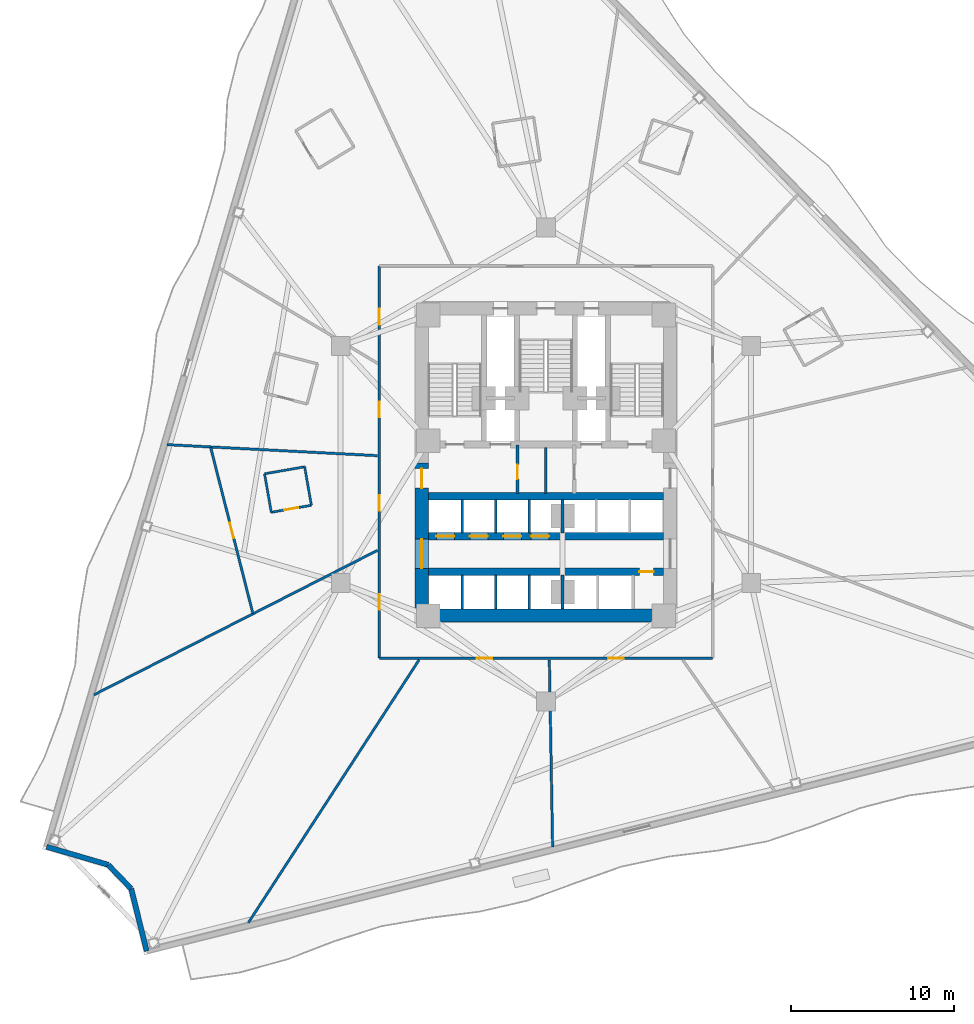
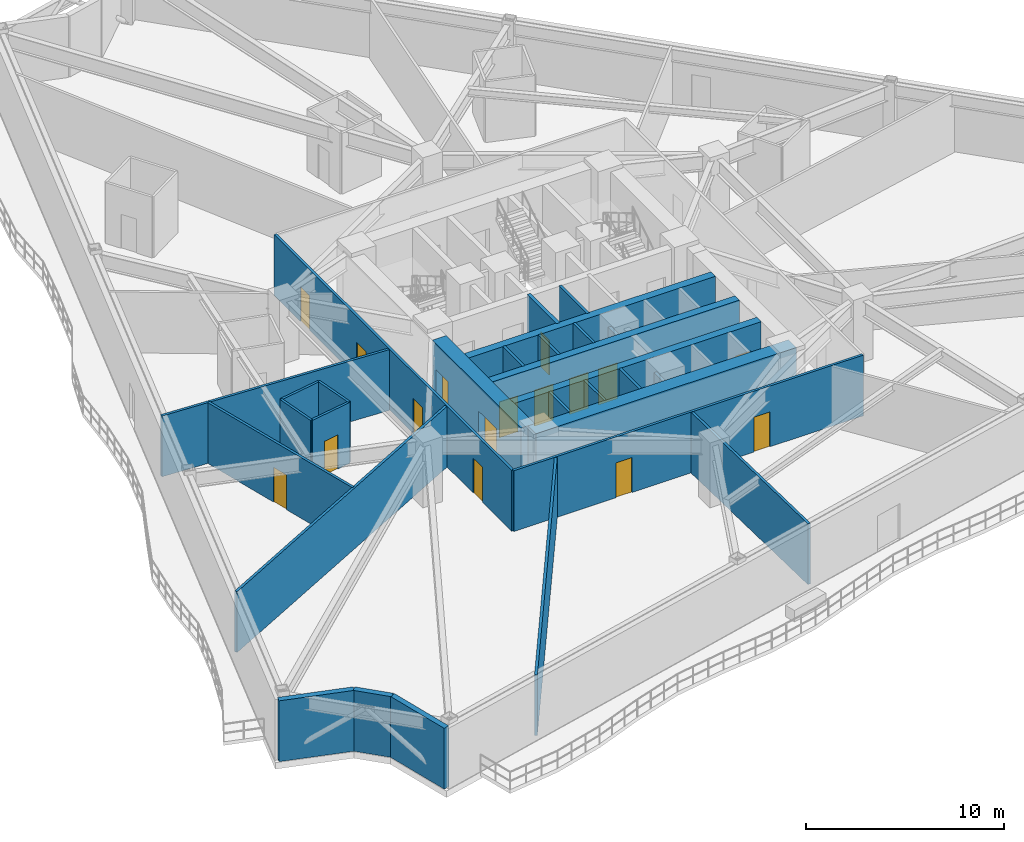
# One storey, part 6 of 13: 29 walls, 16 doors, 16 openings.
"""IFC4 building model written with IfcOpenShell, lengths in metres."""

from ifc_helpers import new_model, si_unit, direction, frame, frame_2d, origin, place, context, subcontext, project, spatial, rectangle, extrude, material, layer, layer_set, type_object, element, fill, save


model = new_model("IFC4")

# Units and contexts
model_context = context("Model", 3, precision=1e-05, world=origin(), true_north=direction((0.0, 1.0)))
body_context = subcontext(model_context, "Body", "Model", "MODEL_VIEW")
ifc_project = project(units=[si_unit("LENGTHUNIT", "METRE"), si_unit("AREAUNIT", "SQUARE_METRE"), si_unit("VOLUMEUNIT", "CUBIC_METRE"), si_unit("PLANEANGLEUNIT", "RADIAN"), si_unit("MASSUNIT", "GRAM", prefix="KILO")], contexts=[model_context])

# Site, building, storey
site_placement = place(None, origin())
site = spatial("IfcSite", under=ifc_project, at=site_placement, CompositionType="ELEMENT")
building_placement = place(site_placement, origin())
building = spatial("IfcBuilding", under=site, at=building_placement, Name="Apsidion Concourse Tower", CompositionType="ELEMENT")
storey_placement = place(building_placement, frame((0.0, 0.0, 95.0)))
storey = spatial("IfcBuildingStorey", under=building, at=storey_placement, Name="L21", CompositionType="ELEMENT", Elevation=95.0)

# Walls
ifc_material_1 = material(Name="Precast concrete C40/50", Category="concrete")
ifc_layer_1 = layer(ifc_material_1, 0.320068359375)
ifc_layer_set_1 = layer_set([ifc_layer_1], Name="Precast concrete C40/50")
wall_type_1 = type_object("IfcWallType", Name="WL-EXT-320", PredefinedType="STANDARD", material=ifc_layer_set_1)
wall_1_placement = place(storey_placement, frame((-24.4287109375, -29.771728515625, 0.0), z_axis=(0.0, 0.0, 1.0), x_axis=(-0.241863642263, 0.970310248607, 0.0)))
element("IfcWall", 1, at=wall_1_placement, inside=storey, type_object=wall_type_1, Name="L21 Precast Stone Facade Wall 06", PredefinedType="STANDARD", context=body_context, shape_type="SweptSolid", body=[
    extrude(rectangle(XDim=3.9326171875, YDim=0.320068359375, at=frame_2d((1.96630859375, 0.0))), origin(), (0.0, 0.0, 1.0), 3.75),
])
wall_2_placement = place(storey_placement, frame((-25.3798828125, -25.955810546875, 0.0), z_axis=(0.0, 0.0, 1.0), x_axis=(-0.69281750058, 0.721112966802, 0.0)))
element("IfcWall", 2, at=wall_2_placement, inside=storey, type_object=wall_type_1, Name="L21 Precast Stone Facade Wall 07", PredefinedType="STANDARD", context=body_context, shape_type="SweptSolid", body=[
    extrude(rectangle(XDim=2.027587890625, YDim=0.320068359375, at=frame_2d((1.013671875, 0.0))), origin(), (0.0, 0.0, 1.0), 3.75),
])
wall_3_placement = place(storey_placement, frame((-26.78466796875, -24.49365234375, 0.0), z_axis=(0.0, 0.0, 1.0), x_axis=(-0.959768832583, 0.28079136027, 0.0)))
element("IfcWall", 3, at=wall_3_placement, inside=storey, type_object=wall_type_1, Name="L21 Precast Stone Facade Wall 08", PredefinedType="STANDARD", context=body_context, shape_type="SweptSolid", body=[
    extrude(rectangle(XDim=3.9326171875, YDim=0.320068359375, at=frame_2d((1.96630859375, 0.0))), origin(), (0.0, 0.0, 1.0), 3.75),
])
ifc_material_2 = material(Name="Gypsum plasterboard partition")
ifc_layer_2 = layer(ifc_material_2, 0.139892578125)
ifc_layer_set_2 = layer_set([ifc_layer_2], Name="Gypsum plasterboard partition")
wall_type_2 = type_object("IfcWallType", Name="WL-INT-PAR-140", PredefinedType="PARTITIONING", material=ifc_layer_set_2)
wall_4_placement = place(storey_placement, frame((-14.76513671875, -0.140380859375, 0.0), z_axis=(0.0, 0.0, 1.0), x_axis=(-0.985100726112, -0.171978369026, 0.0)))
element("IfcWall", 4, at=wall_4_placement, inside=storey, type_object=wall_type_2, Name="L21 Interior Partition WL-L21-POD-HKAWC-S1", PredefinedType="PARTITIONING", context=body_context, shape_type="SweptSolid", body=[
    extrude(rectangle(XDim=2.489990234375, YDim=0.139892578125, at=frame_2d((1.2451171875, 0.0))), origin(), (0.0, 0.0, 1.0), 3.75),
])
wall_5_placement = place(storey_placement, frame((-17.218017578125, -0.568603515625, 0.0), z_axis=(0.0, 0.0, 1.0), x_axis=(0.17193178546, -0.985108857512, 0.0)))
element("IfcWall", 5, at=wall_5_placement, inside=storey, type_object=wall_type_2, Name="L21 Interior Partition WL-L21-POD-HKAWC-S2", PredefinedType="PARTITIONING", context=body_context, shape_type="SweptSolid", body=[
    extrude(rectangle(XDim=2.389892578125, YDim=0.139892578125, at=frame_2d((1.19482421875, 0.0))), origin(), (0.0, 0.0, 1.0), 3.75),
])

# Wall, opening, door
wall_6_placement = place(storey_placement, frame((-16.80712890625, -2.9228515625, 0.0), z_axis=(0.0, 0.0, 1.0), x_axis=(0.985117332909, 0.171883217337, 0.0)))
wall_6 = element("IfcWall", 6, at=wall_6_placement, inside=storey, type_object=wall_type_2, Name="L21 Interior Partition WL-L21-POD-HKAWC-S3", PredefinedType="PARTITIONING", context=body_context, shape_type="SweptSolid", body=[
    extrude(rectangle(XDim=2.489990234375, YDim=0.139892578125, at=frame_2d((1.2451171875, 0.0))), origin(), (0.0, 0.0, 1.0), 3.75),
])
opening_1_placement = place(wall_6_placement, frame((0.804931640625, 0.0, 0.0)))
opening_1 = element("IfcOpeningElement", 7, at=opening_1_placement, cuts=wall_6, Name="Opening D-03L", PredefinedType="OPENING", context=body_context, shape_type="SweptSolid", body=[
    extrude(rectangle(XDim=0.8798828125, YDim=2.10009765625, at=frame_2d((0.43994140625, 1.050048828125))), frame((0.0, 0.080078125, 0.0), z_axis=(0.0, -1.0, 0.0), x_axis=(1.0, 0.0, 0.0)), (0.0, 0.0, 1.0), 0.159912109375),
])
ifc_material_3 = material(Name="Anodised aluminium EN AW-6063 T6", Category="aluminium")
door_type_1 = type_object("IfcDoorType", Name="DR-INT-D03L", OperationType="SINGLE_SWING_LEFT", PredefinedType="DOOR", material=ifc_material_3)
door_1_placement = place(opening_1_placement, origin())
door_1 = element("IfcDoor", 8, at=door_1_placement, inside=storey, type_object=door_type_1, Name="L21 Hotel Accessible WC Door HKAWC", OperationType="SINGLE_SWING_LEFT", OverallHeight=2.10009765625, OverallWidth=0.8798828125, PredefinedType="DOOR", context=body_context, shape_type="SweptSolid", body=[
    extrude(rectangle(XDim=0.8798828125, YDim=2.10009765625, at=frame_2d((0.43994140625, 1.050048828125))), frame((0.0, 0.02490234375, 0.0), z_axis=(0.0, -1.0, 0.0), x_axis=(1.0, 0.0, 0.0)), (0.0, 0.0, 1.0), 0.050048828125),
])
fill(opening_1, door_1)

# Walls
wall_7_placement = place(storey_placement, frame((-14.354248046875, -2.494873046875, 0.0), z_axis=(0.0, 0.0, 1.0), x_axis=(-0.171914484531, 0.985111876899, 0.0)))
element("IfcWall", 9, at=wall_7_placement, inside=storey, type_object=wall_type_2, Name="L21 Interior Partition WL-L21-POD-HKAWC-S4", PredefinedType="PARTITIONING", context=body_context, shape_type="SweptSolid", body=[
    extrude(rectangle(XDim=2.39013671875, YDim=0.139892578125, at=frame_2d((1.195068359375, 0.0))), origin(), (0.0, 0.0, 1.0), 3.75),
])
ifc_layer_3 = layer(ifc_material_2, 0.14990234375)
ifc_layer_set_3 = layer_set([ifc_layer_3], Name="Gypsum plasterboard partition")
wall_type_3 = type_object("IfcWallType", Name="WL-INT-PAR-150", PredefinedType="PARTITIONING", material=ifc_layer_set_3)
for number, where, z_axis, x_axis, name in (
    (10, (-5.125, -4.179931640625, 0.0), (0.0, 0.0, 1.0), (0.0, 1.0, 0.0), "L21 Interior Partition WL-L21-B1DIV-1"),
    (11, (-3.074951171875, -4.179931640625, 0.0), (0.0, 0.0, 1.0), (0.0, 1.0, 0.0), "L21 Interior Partition WL-L21-B1DIV-2"),
    (12, (-1.02490234375, -4.179931640625, 0.0), (0.0, 0.0, 1.0), (0.0, 1.0, 0.0), "L21 Interior Partition WL-L21-B1DIV-3"),
):
    element("IfcWall", number, at=place(storey_placement, frame(where, z_axis=z_axis, x_axis=x_axis)), inside=storey, type_object=wall_type_3, Name=name, PredefinedType="PARTITIONING", context=body_context, shape_type="SweptSolid", body=[
        extrude(rectangle(XDim=2.030029296875, YDim=0.14990234375, at=frame_2d((1.01513671875, 0.0))), origin(), (0.0, 0.0, 1.0), 3.75),
    ])
for number, where, z_axis, x_axis, name in (
    (13, (-5.125, -8.85009765625, 0.0), (0.0, 0.0, 1.0), (0.0, 1.0, 0.0), "L21 Interior Partition WL-L21-B2DIV-1"),
    (14, (-3.074951171875, -8.85009765625, 0.0), (0.0, 0.0, 1.0), (0.0, 1.0, 0.0), "L21 Interior Partition WL-L21-B2DIV-2"),
    (15, (-1.02490234375, -8.85009765625, 0.0), (0.0, 0.0, 1.0), (0.0, 1.0, 0.0), "L21 Interior Partition WL-L21-B2DIV-3"),
):
    element("IfcWall", number, at=place(storey_placement, frame(where, z_axis=z_axis, x_axis=x_axis)), inside=storey, type_object=wall_type_3, Name=name, PredefinedType="PARTITIONING", context=body_context, shape_type="SweptSolid", body=[
        extrude(rectangle(XDim=2.080078125, YDim=0.14990234375, at=frame_2d((1.0400390625, 0.0))), origin(), (0.0, 0.0, 1.0), 3.75),
    ])
wall_8_placement = place(storey_placement, frame((0.0, -1.780029296875, 0.0), z_axis=(0.0, 0.0, 1.0), x_axis=(0.0, 1.0, 0.0)))
element("IfcWall", 16, at=wall_8_placement, inside=storey, type_object=wall_type_3, Name="L21 Interior Partition WL-L21-K3V", PredefinedType="PARTITIONING", context=body_context, shape_type="SweptSolid", body=[
    extrude(rectangle(XDim=2.830078125, YDim=0.14990234375, at=frame_2d((1.4150390625, 0.0))), origin(), (0.0, 0.0, 1.0), 3.75),
])

# Wall, openings, doors
wall_9_placement = place(storey_placement, frame((10.199951171875, -11.85009765625, 0.0), z_axis=(0.0, 0.0, 1.0), x_axis=(-1.0, 0.0, 0.0)))
wall_9 = element("IfcWall", 17, at=wall_9_placement, inside=storey, type_object=wall_type_3, Name="L21 Interior Partition WL-L21-CORR-03", PredefinedType="PARTITIONING", context=body_context, shape_type="SweptSolid", body=[
    extrude(rectangle(XDim=20.39990234375, YDim=0.14990234375, at=frame_2d((10.199951171875, 0.0))), origin(), (0.0, 0.0, 1.0), 3.75),
])
opening_2_placement = place(wall_9_placement, frame((13.4990234375, 0.0, 0.0)))
opening_2 = element("IfcOpeningElement", 18, at=opening_2_placement, cuts=wall_9, Name="Opening D-01L", PredefinedType="OPENING", context=body_context, shape_type="SweptSolid", body=[
    extrude(rectangle(XDim=0.949951171875, YDim=2.14990234375, at=frame_2d((0.47509765625, 1.074951171875))), frame((0.0, 0.0849609375, 0.0), z_axis=(0.0, -1.0, 0.0), x_axis=(1.0, 0.0, 0.0)), (0.0, 0.0, 1.0), 0.169921875),
])
opening_3_placement = place(wall_9_placement, frame((5.43896484375, 0.0, 0.0)))
opening_3 = element("IfcOpeningElement", 19, at=opening_3_placement, cuts=wall_9, Name="Opening D-01R", PredefinedType="OPENING", context=body_context, shape_type="SweptSolid", body=[
    extrude(rectangle(XDim=0.949951171875, YDim=2.14990234375, at=frame_2d((0.47509765625, 1.074951171875))), frame((0.0, 0.0849609375, 0.0), z_axis=(0.0, -1.0, 0.0), x_axis=(1.0, 0.0, 0.0)), (0.0, 0.0, 1.0), 0.169921875),
])
ifc_material_4 = material(Name="Brushed stainless steel 316", Category="steel")
door_type_2 = type_object("IfcDoorType", Name="DR-INT-D01L", OperationType="SINGLE_SWING_LEFT", PredefinedType="DOOR", material=ifc_material_4)
door_2_placement = place(opening_2_placement, origin())
door_2 = element("IfcDoor", 20, at=door_2_placement, inside=storey, type_object=door_type_2, Name="L21 Corridor Entry Door 03", OperationType="SINGLE_SWING_LEFT", OverallHeight=2.14990234375, OverallWidth=0.949951171875, PredefinedType="DOOR", context=body_context, shape_type="SweptSolid", body=[
    extrude(rectangle(XDim=0.949951171875, YDim=2.14990234375, at=frame_2d((0.47509765625, 1.074951171875))), frame((0.0, 0.02490234375, 0.0), z_axis=(0.0, -1.0, 0.0), x_axis=(1.0, 0.0, 0.0)), (0.0, 0.0, 1.0), 0.050048828125),
])
fill(opening_2, door_2)
door_type_3 = type_object("IfcDoorType", Name="DR-INT-D01R", OperationType="SINGLE_SWING_RIGHT", PredefinedType="DOOR", material=ifc_material_4)
door_3_placement = place(opening_3_placement, origin())
door_3 = element("IfcDoor", 21, at=door_3_placement, inside=storey, type_object=door_type_3, Name="L21 Corridor Entry Door 04", OperationType="SINGLE_SWING_RIGHT", OverallHeight=2.14990234375, OverallWidth=0.949951171875, PredefinedType="DOOR", context=body_context, shape_type="SweptSolid", body=[
    extrude(rectangle(XDim=0.949951171875, YDim=2.14990234375, at=frame_2d((0.47509765625, 1.074951171875))), frame((0.0, 0.02490234375, 0.0), z_axis=(0.0, -1.0, 0.0), x_axis=(1.0, 0.0, 0.0)), (0.0, 0.0, 1.0), 0.050048828125),
])
fill(opening_3, door_3)

wall_10_placement = place(storey_placement, frame((-10.199951171875, -11.85009765625, 0.0), z_axis=(0.0, 0.0, 1.0), x_axis=(0.0, 1.0, 0.0)))
wall_10 = element("IfcWall", 22, at=wall_10_placement, inside=storey, type_object=wall_type_3, Name="L21 Interior Partition WL-L21-CORR-04", PredefinedType="PARTITIONING", context=body_context, shape_type="SweptSolid", body=[
    extrude(rectangle(XDim=24.0, YDim=0.14990234375, at=frame_2d((12.0, 0.0))), origin(), (0.0, 0.0, 1.0), 3.75),
])
opening_4_placement = place(wall_10_placement, frame((9.024169921875, 0.0, 0.0)))
opening_4 = element("IfcOpeningElement", 23, at=opening_4_placement, cuts=wall_10, Name="Opening D-01L", PredefinedType="OPENING", context=body_context, shape_type="SweptSolid", body=[
    extrude(rectangle(XDim=0.949951171875, YDim=2.14990234375, at=frame_2d((0.47509765625, 1.074951171875))), frame((0.0, 0.0849609375, 0.0), z_axis=(0.0, -1.0, 0.0), x_axis=(1.0, 0.0, 0.0)), (0.0, 0.0, 1.0), 0.169921875),
])
opening_5_placement = place(wall_10_placement, frame((2.95458984375, 0.0, 0.0)))
opening_5 = element("IfcOpeningElement", 24, at=opening_5_placement, cuts=wall_10, Name="Opening D-01R", PredefinedType="OPENING", context=body_context, shape_type="SweptSolid", body=[
    extrude(rectangle(XDim=0.949951171875, YDim=2.14990234375, at=frame_2d((0.47509765625, 1.074951171875))), frame((0.0, 0.0849609375, 0.0), z_axis=(0.0, -1.0, 0.0), x_axis=(1.0, 0.0, 0.0)), (0.0, 0.0, 1.0), 0.169921875),
])
opening_6_placement = place(wall_10_placement, frame((20.4169921875, 0.0, 0.0)))
opening_6 = element("IfcOpeningElement", 25, at=opening_6_placement, cuts=wall_10, Name="Opening D-01R", PredefinedType="OPENING", context=body_context, shape_type="SweptSolid", body=[
    extrude(rectangle(XDim=0.949951171875, YDim=2.14990234375, at=frame_2d((0.47509765625, 1.074951171875))), frame((0.0, 0.0849609375, 0.0), z_axis=(0.0, -1.0, 0.0), x_axis=(1.0, 0.0, 0.0)), (0.0, 0.0, 1.0), 0.169921875),
])
opening_7_placement = place(wall_10_placement, frame((14.736083984375, 0.0, 0.0)))
opening_7 = element("IfcOpeningElement", 26, at=opening_7_placement, cuts=wall_10, Name="Opening D-01L", PredefinedType="OPENING", context=body_context, shape_type="SweptSolid", body=[
    extrude(rectangle(XDim=0.949951171875, YDim=2.14990234375, at=frame_2d((0.47509765625, 1.074951171875))), frame((0.0, 0.0849609375, 0.0), z_axis=(0.0, -1.0, 0.0), x_axis=(1.0, 0.0, 0.0)), (0.0, 0.0, 1.0), 0.169921875),
])
door_4_placement = place(opening_4_placement, origin())
door_4 = element("IfcDoor", 27, at=door_4_placement, inside=storey, type_object=door_type_2, Name="L21 Corridor Entry Door 01", OperationType="SINGLE_SWING_LEFT", OverallHeight=2.14990234375, OverallWidth=0.949951171875, PredefinedType="DOOR", context=body_context, shape_type="SweptSolid", body=[
    extrude(rectangle(XDim=0.949951171875, YDim=2.14990234375, at=frame_2d((0.47509765625, 1.074951171875))), frame((0.0, 0.02490234375, 0.0), z_axis=(0.0, -1.0, 0.0), x_axis=(1.0, 0.0, 0.0)), (0.0, 0.0, 1.0), 0.050048828125),
])
fill(opening_4, door_4)
door_5_placement = place(opening_7_placement, origin())
door_5 = element("IfcDoor", 28, at=door_5_placement, inside=storey, type_object=door_type_2, Name="L21 Corridor Entry Door 11", OperationType="SINGLE_SWING_LEFT", OverallHeight=2.14990234375, OverallWidth=0.949951171875, PredefinedType="DOOR", context=body_context, shape_type="SweptSolid", body=[
    extrude(rectangle(XDim=0.949951171875, YDim=2.14990234375, at=frame_2d((0.47509765625, 1.074951171875))), frame((0.0, 0.02490234375, 0.0), z_axis=(0.0, -1.0, 0.0), x_axis=(1.0, 0.0, 0.0)), (0.0, 0.0, 1.0), 0.050048828125),
])
fill(opening_7, door_5)
door_6_placement = place(opening_5_placement, origin())
door_6 = element("IfcDoor", 29, at=door_6_placement, inside=storey, type_object=door_type_3, Name="L21 Corridor Entry Door 02", OperationType="SINGLE_SWING_RIGHT", OverallHeight=2.14990234375, OverallWidth=0.949951171875, PredefinedType="DOOR", context=body_context, shape_type="SweptSolid", body=[
    extrude(rectangle(XDim=0.949951171875, YDim=2.14990234375, at=frame_2d((0.47509765625, 1.074951171875))), frame((0.0, 0.02490234375, 0.0), z_axis=(0.0, -1.0, 0.0), x_axis=(1.0, 0.0, 0.0)), (0.0, 0.0, 1.0), 0.050048828125),
])
fill(opening_5, door_6)
door_7_placement = place(opening_6_placement, origin())
door_7 = element("IfcDoor", 30, at=door_7_placement, inside=storey, type_object=door_type_3, Name="L21 Corridor Entry Door 10", OperationType="SINGLE_SWING_RIGHT", OverallHeight=2.14990234375, OverallWidth=0.949951171875, PredefinedType="DOOR", context=body_context, shape_type="SweptSolid", body=[
    extrude(rectangle(XDim=0.949951171875, YDim=2.14990234375, at=frame_2d((0.47509765625, 1.074951171875))), frame((0.0, 0.02490234375, 0.0), z_axis=(0.0, -1.0, 0.0), x_axis=(1.0, 0.0, 0.0)), (0.0, 0.0, 1.0), 0.050048828125),
])
fill(opening_6, door_7)

# Walls
wall_11_placement = place(storey_placement, frame((-10.304931640625, 0.5400390625, 0.0), z_axis=(0.0, 0.0, 1.0), x_axis=(-0.998629106167, 0.052344133533, 0.0)))
element("IfcWall", 31, at=wall_11_placement, inside=storey, type_object=wall_type_3, Name="L21 Interior Partition WL-L21-RAD-06-1", PredefinedType="PARTITIONING", context=body_context, shape_type="SweptSolid", body=[
    extrude(rectangle(XDim=12.8916015625, YDim=0.14990234375, at=frame_2d((6.44580078125, 0.0))), origin(), (0.0, 0.0, 1.0), 3.75),
])
wall_12_placement = place(storey_placement, frame((-10.304931640625, -5.250732421875, 0.0), z_axis=(0.0, 0.0, 1.0), x_axis=(-0.891009071263, -0.45398550079, 0.0)))
element("IfcWall", 32, at=wall_12_placement, inside=storey, type_object=wall_type_3, Name="L21 Interior Partition WL-L21-RAD-07-1", PredefinedType="PARTITIONING", context=body_context, shape_type="SweptSolid", body=[
    extrude(rectangle(XDim=19.474365234375, YDim=0.14990234375, at=frame_2d((9.7373046875, 0.0))), origin(), (0.0, 0.0, 1.0), 3.75),
])
wall_13_placement = place(storey_placement, frame((-7.763671875, -11.955078125, 0.0), z_axis=(0.0, 0.0, 1.0), x_axis=(-0.544643349565, -0.838667766028, 0.0)))
element("IfcWall", 33, at=wall_13_placement, inside=storey, type_object=wall_type_3, Name="L21 Interior Partition WL-L21-RAD-08-1", PredefinedType="PARTITIONING", context=body_context, shape_type="SweptSolid", body=[
    extrude(rectangle(XDim=19.18017578125, YDim=0.14990234375, at=frame_2d((9.590087890625, 0.0))), origin(), (0.0, 0.0, 1.0), 3.75),
])
wall_14_placement = place(storey_placement, frame((0.208740234375, -11.955078125, 0.0), z_axis=(0.0, 0.0, 1.0), x_axis=(0.017448754438, -0.999847758896, 0.0)))
element("IfcWall", 34, at=wall_14_placement, inside=storey, type_object=wall_type_3, Name="L21 Interior Partition WL-L21-RAD-09-1", PredefinedType="PARTITIONING", context=body_context, shape_type="SweptSolid", body=[
    extrude(rectangle(XDim=11.4453125, YDim=0.14990234375, at=frame_2d((5.72265625, 0.0))), origin(), (0.0, 0.0, 1.0), 3.75),
])

# Wall, opening, door
wall_15_placement = place(storey_placement, frame((-20.518310546875, 1.05029296875, 0.0), z_axis=(0.0, 0.0, 1.0), x_axis=(0.246429550542, -0.969160707323, 0.0)))
wall_15 = element("IfcWall", 35, at=wall_15_placement, inside=storey, type_object=wall_type_3, Name="L21 Interior Partition WL-L21-CHD-HKWC", PredefinedType="PARTITIONING", context=body_context, shape_type="SweptSolid", body=[
    extrude(rectangle(XDim=10.483642578125, YDim=0.14990234375, at=frame_2d((5.24169921875, 0.0))), origin(), (0.0, 0.0, 1.0), 3.75),
])
opening_8_placement = place(wall_15_placement, frame((4.766845703125, 0.0, 0.0)))
opening_8 = element("IfcOpeningElement", 36, at=opening_8_placement, cuts=wall_15, Name="Opening D-04R", PredefinedType="OPENING", context=body_context, shape_type="SweptSolid", body=[
    extrude(rectangle(XDim=0.949951171875, YDim=2.14990234375, at=frame_2d((0.47509765625, 1.074951171875))), frame((0.0, 0.0849609375, 0.0), z_axis=(0.0, -1.0, 0.0), x_axis=(1.0, 0.0, 0.0)), (0.0, 0.0, 1.0), 0.169921875),
])
door_type_4 = type_object("IfcDoorType", Name="DR-INT-D04R", OperationType="SINGLE_SWING_RIGHT", PredefinedType="DOOR", material=ifc_material_4)
door_8_placement = place(opening_8_placement, origin())
door_8 = element("IfcDoor", 37, at=door_8_placement, inside=storey, type_object=door_type_4, Name="L21 Suite Connecting Door HKWC", OperationType="SINGLE_SWING_RIGHT", OverallHeight=2.14990234375, OverallWidth=0.949951171875, PredefinedType="DOOR", context=body_context, shape_type="SweptSolid", body=[
    extrude(rectangle(XDim=0.949951171875, YDim=2.14990234375, at=frame_2d((0.47509765625, 1.074951171875))), frame((0.0, 0.02490234375, 0.0), z_axis=(0.0, -1.0, 0.0), x_axis=(1.0, 0.0, 0.0)), (0.0, 0.0, 1.0), 0.050048828125),
])
fill(opening_8, door_8)

# Walls
ifc_layer_4 = layer(ifc_material_2, 0.179931640625)
ifc_layer_set_4 = layer_set([ifc_layer_4], Name="Gypsum plasterboard partition")
wall_type_4 = type_object("IfcWallType", Name="WL-INT-PAR-180", PredefinedType="PARTITIONING", material=ifc_layer_set_4)
wall_16_placement = place(storey_placement, frame((1.02490234375, -4.179931640625, 0.0), z_axis=(0.0, 0.0, 1.0), x_axis=(0.0, 1.0, 0.0)))
element("IfcWall", 38, at=wall_16_placement, inside=storey, type_object=wall_type_4, Name="L21 Interior Partition WL-L21-B1END", PredefinedType="PARTITIONING", context=body_context, shape_type="SweptSolid", body=[
    extrude(rectangle(XDim=2.030029296875, YDim=0.179931640625, at=frame_2d((1.01513671875, 0.0))), origin(), (0.0, 0.0, 1.0), 2.798095703125),
])
wall_17_placement = place(storey_placement, frame((1.02490234375, -8.85009765625, 0.0), z_axis=(0.0, 0.0, 1.0), x_axis=(0.0, 1.0, 0.0)))
element("IfcWall", 39, at=wall_17_placement, inside=storey, type_object=wall_type_4, Name="L21 Interior Partition WL-L21-B2END", PredefinedType="PARTITIONING", context=body_context, shape_type="SweptSolid", body=[
    extrude(rectangle(XDim=2.080078125, YDim=0.179931640625, at=frame_2d((1.0400390625, 0.0))), origin(), (0.0, 0.0, 1.0), 2.798095703125),
])

# Wall, opening, door
ifc_layer_5 = layer(ifc_material_2, 0.199951171875)
ifc_layer_set_5 = layer_set([ifc_layer_5], Name="Gypsum plasterboard partition")
wall_type_5 = type_object("IfcWallType", Name="WL-INT-PAR-200", PredefinedType="PARTITIONING", material=ifc_layer_set_5)
wall_18_placement = place(storey_placement, frame((-1.739990234375, -1.780029296875, 0.0), z_axis=(0.0, 0.0, 1.0), x_axis=(0.0, 1.0, 0.0)))
wall_18 = element("IfcWall", 40, at=wall_18_placement, inside=storey, type_object=wall_type_5, Name="L21 Interior Partition WL-L21-FF1-E", PredefinedType="PARTITIONING", context=body_context, shape_type="SweptSolid", body=[
    extrude(rectangle(XDim=2.97998046875, YDim=0.199951171875, at=frame_2d((1.489990234375, 0.0))), origin(), (0.0, 0.0, 1.0), 3.75),
])
opening_9_placement = place(wall_18_placement, frame((0.889892578125, 0.0, 0.0)))
opening_9 = element("IfcOpeningElement", 41, at=opening_9_placement, cuts=wall_18, Name="Opening D-05R", PredefinedType="OPENING", context=body_context, shape_type="SweptSolid", body=[
    extrude(rectangle(XDim=0.8798828125, YDim=2.14990234375, at=frame_2d((0.43994140625, 1.074951171875))), frame((0.0, 0.10986328125, 0.0), z_axis=(0.0, -1.0, 0.0), x_axis=(1.0, 0.0, 0.0)), (0.0, 0.0, 1.0), 0.219970703125),
])
door_type_5 = type_object("IfcDoorType", Name="DR-INT-D05R", OperationType="SINGLE_SWING_RIGHT", PredefinedType="DOOR", material=ifc_material_4)
door_9_placement = place(opening_9_placement, origin())
door_9 = element("IfcDoor", 42, at=door_9_placement, inside=storey, type_object=door_type_5, Name="L21 Core Pantry Door", OperationType="SINGLE_SWING_RIGHT", OverallHeight=2.14990234375, OverallWidth=0.8798828125, PredefinedType="DOOR", context=body_context, shape_type="SweptSolid", body=[
    extrude(rectangle(XDim=0.8798828125, YDim=2.14990234375, at=frame_2d((0.43994140625, 1.074951171875))), frame((0.0, 0.02490234375, 0.0), z_axis=(0.0, -1.0, 0.0), x_axis=(1.0, 0.0, 0.0)), (0.0, 0.0, 1.0), 0.050048828125),
])
fill(opening_9, door_9)

# Wall
ifc_material_5 = material(Name="Concrete C60/75", Category="concrete")
ifc_layer_6 = layer(ifc_material_5, 0.449951171875)
ifc_layer_set_6 = layer_set([ifc_layer_6], Name="Concrete C60/75")
wall_type_6 = type_object("IfcWallType", Name="WL-SH-450", PredefinedType="SHEAR", material=ifc_layer_set_6)
wall_19_placement = place(storey_placement, frame((-7.199951171875, -1.949951171875, 0.0), z_axis=(0.0, 0.0, 1.0), x_axis=(1.0, 0.0, 0.0)))
element("IfcWall", 43, at=wall_19_placement, inside=storey, type_object=wall_type_6, Name="L21 Central Core Shear Wall M2", PredefinedType="SHEAR", context=body_context, shape_type="SweptSolid", body=[
    extrude(rectangle(XDim=14.39990234375, YDim=0.449951171875, at=frame_2d((7.199951171875, 0.0))), origin(), (0.0, 0.0, 1.0), 3.75),
])

# Wall, openings, doors
wall_20_placement = place(storey_placement, frame((-7.199951171875, -4.3798828125, 0.0), z_axis=(0.0, 0.0, 1.0), x_axis=(1.0, 0.0, 0.0)))
wall_20 = element("IfcWall", 44, at=wall_20_placement, inside=storey, type_object=wall_type_6, Name="L21 Central Core Shear Wall LA", PredefinedType="SHEAR", context=body_context, shape_type="SweptSolid", body=[
    extrude(rectangle(XDim=14.39990234375, YDim=0.449951171875, at=frame_2d((7.199951171875, 0.0))), origin(), (0.0, 0.0, 1.0), 3.75),
])
opening_10_placement = place(wall_20_placement, frame((0.5, 0.0, 0.0)))
opening_10 = element("IfcOpeningElement", 45, at=opening_10_placement, cuts=wall_20, Name="Opening LD-P1", PredefinedType="OPENING", context=body_context, shape_type="SweptSolid", body=[
    extrude(rectangle(XDim=1.10009765625, YDim=2.199951171875, at=frame_2d((0.550048828125, 1.10009765625))), frame((0.0, 0.23486328125, 0.0), z_axis=(0.0, -1.0, 0.0), x_axis=(1.0, 0.0, 0.0)), (0.0, 0.0, 1.0), 0.469970703125),
])
opening_11_placement = place(wall_20_placement, frame((2.550048828125, 0.0, 0.0)))
opening_11 = element("IfcOpeningElement", 46, at=opening_11_placement, cuts=wall_20, Name="Opening LD-P1", PredefinedType="OPENING", context=body_context, shape_type="SweptSolid", body=[
    extrude(rectangle(XDim=1.10009765625, YDim=2.199951171875, at=frame_2d((0.550048828125, 1.10009765625))), frame((0.0, 0.23486328125, 0.0), z_axis=(0.0, -1.0, 0.0), x_axis=(1.0, 0.0, 0.0)), (0.0, 0.0, 1.0), 0.469970703125),
])
opening_12_placement = place(wall_20_placement, frame((4.60009765625, 0.0, 0.0)))
opening_12 = element("IfcOpeningElement", 47, at=opening_12_placement, cuts=wall_20, Name="Opening LD-P1", PredefinedType="OPENING", context=body_context, shape_type="SweptSolid", body=[
    extrude(rectangle(XDim=1.10009765625, YDim=2.199951171875, at=frame_2d((0.550048828125, 1.10009765625))), frame((0.0, 0.23486328125, 0.0), z_axis=(0.0, -1.0, 0.0), x_axis=(1.0, 0.0, 0.0)), (0.0, 0.0, 1.0), 0.469970703125),
])
opening_13_placement = place(wall_20_placement, frame((6.300048828125, 0.0, 0.0)))
opening_13 = element("IfcOpeningElement", 48, at=opening_13_placement, cuts=wall_20, Name="Opening LD-P1", PredefinedType="OPENING", context=body_context, shape_type="SweptSolid", body=[
    extrude(rectangle(XDim=1.10009765625, YDim=2.199951171875, at=frame_2d((0.550048828125, 1.10009765625))), frame((0.0, 0.23486328125, 0.0), z_axis=(0.0, -1.0, 0.0), x_axis=(1.0, 0.0, 0.0)), (0.0, 0.0, 1.0), 0.469970703125),
])
door_type_6 = type_object("IfcDoorType", Name="DR-LD-PASS", OperationType="DOUBLE_DOOR_SLIDING", PredefinedType="DOOR", material=ifc_material_4)
door_10_placement = place(opening_10_placement, origin())
door_10 = element("IfcDoor", 49, at=door_10_placement, inside=storey, type_object=door_type_6, Name="L21 Lift Landing Door P1", OperationType="DOUBLE_DOOR_SLIDING", OverallHeight=2.199951171875, OverallWidth=1.10009765625, PredefinedType="DOOR", context=body_context, shape_type="SweptSolid", body=[
    extrude(rectangle(XDim=1.10009765625, YDim=2.199951171875, at=frame_2d((0.550048828125, 1.10009765625))), frame((0.0, 0.02490234375, 0.0), z_axis=(0.0, -1.0, 0.0), x_axis=(1.0, 0.0, 0.0)), (0.0, 0.0, 1.0), 0.050048828125),
])
fill(opening_10, door_10)
door_11_placement = place(opening_11_placement, origin())
door_11 = element("IfcDoor", 50, at=door_11_placement, inside=storey, type_object=door_type_6, Name="L21 Lift Landing Door P2", OperationType="DOUBLE_DOOR_SLIDING", OverallHeight=2.199951171875, OverallWidth=1.10009765625, PredefinedType="DOOR", context=body_context, shape_type="SweptSolid", body=[
    extrude(rectangle(XDim=1.10009765625, YDim=2.199951171875, at=frame_2d((0.550048828125, 1.10009765625))), frame((0.0, 0.02490234375, 0.0), z_axis=(0.0, -1.0, 0.0), x_axis=(1.0, 0.0, 0.0)), (0.0, 0.0, 1.0), 0.050048828125),
])
fill(opening_11, door_11)
door_12_placement = place(opening_12_placement, origin())
door_12 = element("IfcDoor", 51, at=door_12_placement, inside=storey, type_object=door_type_6, Name="L21 Lift Landing Door P3", OperationType="DOUBLE_DOOR_SLIDING", OverallHeight=2.199951171875, OverallWidth=1.10009765625, PredefinedType="DOOR", context=body_context, shape_type="SweptSolid", body=[
    extrude(rectangle(XDim=1.10009765625, YDim=2.199951171875, at=frame_2d((0.550048828125, 1.10009765625))), frame((0.0, 0.02490234375, 0.0), z_axis=(0.0, -1.0, 0.0), x_axis=(1.0, 0.0, 0.0)), (0.0, 0.0, 1.0), 0.050048828125),
])
fill(opening_12, door_12)
door_13_placement = place(opening_13_placement, origin())
door_13 = element("IfcDoor", 52, at=door_13_placement, inside=storey, type_object=door_type_6, Name="L21 Lift Landing Door P4", OperationType="DOUBLE_DOOR_SLIDING", OverallHeight=2.199951171875, OverallWidth=1.10009765625, PredefinedType="DOOR", context=body_context, shape_type="SweptSolid", body=[
    extrude(rectangle(XDim=1.10009765625, YDim=2.199951171875, at=frame_2d((0.550048828125, 1.10009765625))), frame((0.0, 0.02490234375, 0.0), z_axis=(0.0, -1.0, 0.0), x_axis=(1.0, 0.0, 0.0)), (0.0, 0.0, 1.0), 0.050048828125),
])
fill(opening_13, door_13)

# Wall, opening, door
wall_21_placement = place(storey_placement, frame((-7.199951171875, -6.570068359375, 0.0), z_axis=(0.0, 0.0, 1.0), x_axis=(1.0, 0.0, 0.0)))
wall_21 = element("IfcWall", 53, at=wall_21_placement, inside=storey, type_object=wall_type_6, Name="L21 Central Core Shear Wall LB", PredefinedType="SHEAR", context=body_context, shape_type="SweptSolid", body=[
    extrude(rectangle(XDim=14.39990234375, YDim=0.449951171875, at=frame_2d((7.199951171875, 0.0))), origin(), (0.0, 0.0, 1.0), 3.75),
])
opening_14_placement = place(wall_21_placement, frame((12.909912109375, 0.0, 0.0)))
opening_14 = element("IfcOpeningElement", 54, at=opening_14_placement, cuts=wall_21, Name="Opening D-05L", PredefinedType="OPENING", context=body_context, shape_type="SweptSolid", body=[
    extrude(rectangle(XDim=0.8798828125, YDim=2.14990234375, at=frame_2d((0.43994140625, 1.074951171875))), frame((0.0, 0.23486328125, 0.0), z_axis=(0.0, -1.0, 0.0), x_axis=(1.0, 0.0, 0.0)), (0.0, 0.0, 1.0), 0.469970703125),
])
door_type_7 = type_object("IfcDoorType", Name="DR-INT-D05L", OperationType="SINGLE_SWING_LEFT", PredefinedType="DOOR", material=ifc_material_4)
door_14_placement = place(opening_14_placement, origin())
door_14 = element("IfcDoor", 55, at=door_14_placement, inside=storey, type_object=door_type_7, Name="L21 Cleaners Store Door", OperationType="SINGLE_SWING_LEFT", OverallHeight=2.14990234375, OverallWidth=0.8798828125, PredefinedType="DOOR", context=body_context, shape_type="SweptSolid", body=[
    extrude(rectangle(XDim=0.8798828125, YDim=2.14990234375, at=frame_2d((0.43994140625, 1.074951171875))), frame((0.0, 0.02490234375, 0.0), z_axis=(0.0, -1.0, 0.0), x_axis=(1.0, 0.0, 0.0)), (0.0, 0.0, 1.0), 0.050048828125),
])
fill(opening_14, door_14)

# Wall, openings, doors
ifc_layer_7 = layer(ifc_material_5, 0.800048828125)
ifc_layer_set_7 = layer_set([ifc_layer_7], Name="Concrete C60/75")
wall_type_7 = type_object("IfcWallType", Name="WL-SH-800", PredefinedType="SHEAR", material=ifc_layer_set_7)
wall_22_placement = place(storey_placement, frame((-7.60009765625, -8.85009765625, 0.0), z_axis=(0.0, 0.0, 1.0), x_axis=(0.0, 1.0, 0.0)))
wall_22 = element("IfcWall", 56, at=wall_22_placement, inside=storey, type_object=wall_type_7, Name="L21 Central Core Shear Wall WS", PredefinedType="SHEAR", context=body_context, shape_type="SweptSolid", body=[
    extrude(rectangle(XDim=8.9501953125, YDim=0.800048828125, at=frame_2d((4.47509765625, 0.0))), origin(), (0.0, 0.0, 1.0), 3.75),
])
opening_15_placement = place(wall_22_placement, frame((2.489990234375, 0.0, 0.0)))
opening_15 = element("IfcOpeningElement", 57, at=opening_15_placement, cuts=wall_22, Name="Opening D-06D", PredefinedType="OPENING", context=body_context, shape_type="SweptSolid", body=[
    extrude(rectangle(XDim=1.800048828125, YDim=2.199951171875, at=frame_2d((0.89990234375, 1.10009765625))), frame((0.0, 0.41015625, 0.0), z_axis=(0.0, -1.0, 0.0), x_axis=(1.0, 0.0, 0.0)), (0.0, 0.0, 1.0), 0.820068359375),
])
opening_16_placement = place(wall_22_placement, frame((7.39990234375, 0.0, 0.0)))
opening_16 = element("IfcOpeningElement", 58, at=opening_16_placement, cuts=wall_22, Name="Opening D-FFL", PredefinedType="OPENING", context=body_context, shape_type="SweptSolid", body=[
    extrude(rectangle(XDim=1.199951171875, YDim=2.14990234375, at=frame_2d((0.60009765625, 1.074951171875))), frame((0.0, 0.41015625, 0.0), z_axis=(0.0, -1.0, 0.0), x_axis=(1.0, 0.0, 0.0)), (0.0, 0.0, 1.0), 0.820068359375),
])
door_type_8 = type_object("IfcDoorType", Name="DR-INT-D06D", OperationType="DOUBLE_DOOR_SINGLE_SWING", PredefinedType="DOOR", material=ifc_material_4)
door_15_placement = place(opening_15_placement, origin())
door_15 = element("IfcDoor", 59, at=door_15_placement, inside=storey, type_object=door_type_8, Name="L21 Passenger Lift Lobby WS Portal Door", OperationType="DOUBLE_DOOR_SINGLE_SWING", OverallHeight=2.199951171875, OverallWidth=1.800048828125, PredefinedType="DOOR", context=body_context, shape_type="SweptSolid", body=[
    extrude(rectangle(XDim=1.800048828125, YDim=2.199951171875, at=frame_2d((0.89990234375, 1.10009765625))), frame((0.0, 0.02490234375, 0.0), z_axis=(0.0, -1.0, 0.0), x_axis=(1.0, 0.0, 0.0)), (0.0, 0.0, 1.0), 0.050048828125),
])
fill(opening_15, door_15)
door_type_9 = type_object("IfcDoorType", Name="DR-INT-FFL", OperationType="SINGLE_SWING_LEFT", PredefinedType="DOOR", material=ifc_material_4)
door_16_placement = place(opening_16_placement, origin())
door_16 = element("IfcDoor", 60, at=door_16_placement, inside=storey, type_object=door_type_9, Name="L21 Firefighting Lift Lobby FF1 Door", OperationType="SINGLE_SWING_LEFT", OverallHeight=2.14990234375, OverallWidth=1.199951171875, PredefinedType="DOOR", context=body_context, shape_type="SweptSolid", body=[
    extrude(rectangle(XDim=1.199951171875, YDim=2.14990234375, at=frame_2d((0.60009765625, 1.074951171875))), frame((0.0, 0.02490234375, 0.0), z_axis=(0.0, -1.0, 0.0), x_axis=(1.0, 0.0, 0.0)), (0.0, 0.0, 1.0), 0.050048828125),
])
fill(opening_16, door_16)

# Wall
wall_23_placement = place(storey_placement, frame((-7.60009765625, -9.25, 0.0), z_axis=(0.0, 0.0, 1.0), x_axis=(1.0, 0.0, 0.0)))
element("IfcWall", 61, at=wall_23_placement, inside=storey, type_object=wall_type_7, Name="L21 Central Core Shear Wall S", PredefinedType="SHEAR", context=body_context, shape_type="SweptSolid", body=[
    extrude(rectangle(XDim=15.2001953125, YDim=0.800048828125, at=frame_2d((7.60009765625, 0.0))), origin(), (0.0, 0.0, 1.0), 3.75),
])

save(model, "model.ifc")
